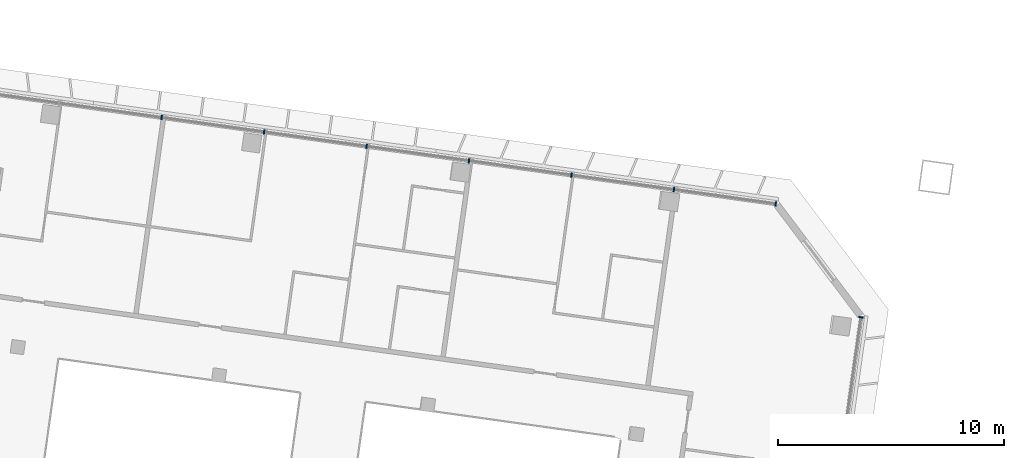
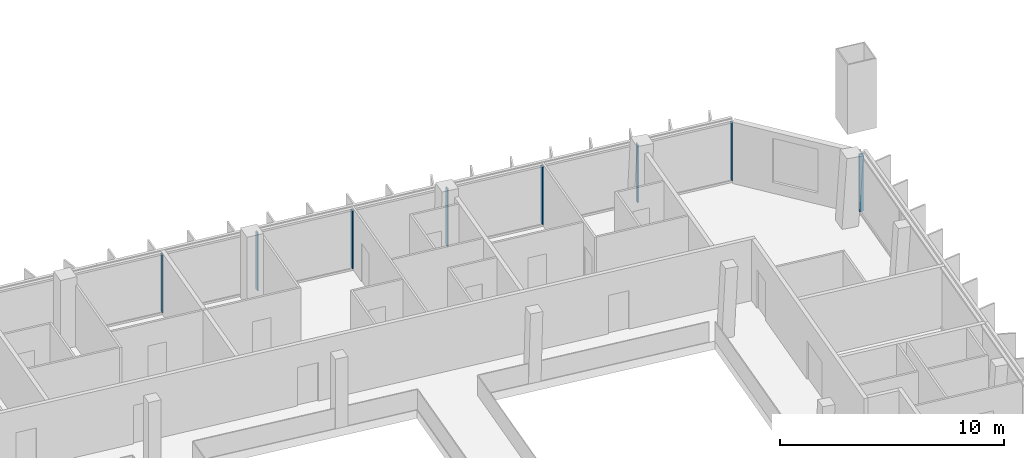
# One storey, part 6 of 23: 8 members, 2 elements without a shape of their own.
"""IFC4 building model written with IfcOpenShell, lengths in metres."""

from ifc_helpers import new_model, si_unit, direction, frame, origin, origin_2d, place, context, subcontext, project, spatial, rectangle, extrude, material, material_profile, profile_set, type_object, element, aggregate, save


model = new_model("IFC4")

# Units and contexts
model_context = context("Model", 3, precision=1e-05, world=origin(), true_north=direction((0.0, 1.0)))
body_context = subcontext(model_context, "Body", "Model", "MODEL_VIEW")
ifc_project = project(units=[si_unit("LENGTHUNIT", "METRE"), si_unit("AREAUNIT", "SQUARE_METRE"), si_unit("VOLUMEUNIT", "CUBIC_METRE"), si_unit("PLANEANGLEUNIT", "RADIAN"), si_unit("MASSUNIT", "GRAM", prefix="KILO")], contexts=[model_context])

# Site, building, storey
site_placement = place(None, origin())
site = spatial("IfcSite", under=ifc_project, at=site_placement, CompositionType="ELEMENT")
building_placement = place(site_placement, origin())
building = spatial("IfcBuilding", under=site, at=building_placement, Name="Mirante Cascada Hotel Towers", CompositionType="ELEMENT")
storey_placement = place(building_placement, frame((0.0, 0.0, 180.2)))
storey = spatial("IfcBuildingStorey", under=building, at=storey_placement, Name="L42", CompositionType="ELEMENT", Elevation=180.2)

# Curtain wall, members
ifc_material_1 = material(Name="Aluminium mullion and transom frame with clear laminated glass", Category="aluminium")
curtain_wall_type_1 = type_object("IfcCurtainWallType", Name="Ribbon curtain wall ECW1", PredefinedType="NOTDEFINED", material=ifc_material_1)
curtain_wall_1_placement = place(storey_placement, origin())
curtain_wall_1 = element("IfcCurtainWall", 1, at=curtain_wall_1_placement, inside=storey, type_object=curtain_wall_type_1, Name="Front ribbon wall T1 L42", PredefinedType="NOTDEFINED")
ifc_material_2 = material(Name="Anodised aluminium extrusion", Category="aluminium")
ifc_material_profile_1 = material_profile(ifc_material_2, rectangle(XDim=0.2, YDim=0.065, at=origin_2d()), Name="ECW1 MULLION 65x200")
ifc_profile_set_1 = profile_set([ifc_material_profile_1], Name="Anodised aluminium extrusion")
member_type_1 = type_object("IfcMemberType", Name="ECW1 mullion 65x200", PredefinedType="MULLION", material=ifc_profile_set_1)
member_1_placement = place(storey_placement, frame((-58.1822, 20.996, 0.1), z_axis=(0.0, 0.0, 1.0), x_axis=(0.1391731, 0.9902681, 0.0)))
member_1 = element("IfcMember", 2, at=member_1_placement, type_object=member_type_1, Name="ECW1 mullion 5", PredefinedType="MULLION", context=body_context, shape_type="SweptSolid", body=[
    extrude(rectangle(XDim=0.2, YDim=0.065, at=origin_2d()), origin(), (0.0, 0.0, 1.0), 3.15),
])
member_2_placement = place(storey_placement, frame((-53.6444, 20.3583, 0.1), z_axis=(0.0, 0.0, 1.0), x_axis=(0.1391731, 0.9902681, 0.0)))
member_2 = element("IfcMember", 3, at=member_2_placement, type_object=member_type_1, Name="ECW1 mullion 6", PredefinedType="MULLION", context=body_context, shape_type="SweptSolid", body=[
    extrude(rectangle(XDim=0.2, YDim=0.065, at=origin_2d()), origin(), (0.0, 0.0, 1.0), 3.15),
])
member_3_placement = place(storey_placement, frame((-49.1066, 19.7205, 0.1), z_axis=(0.0, 0.0, 1.0), x_axis=(0.1391731, 0.9902681, 0.0)))
member_3 = element("IfcMember", 4, at=member_3_placement, type_object=member_type_1, Name="ECW1 mullion 7", PredefinedType="MULLION", context=body_context, shape_type="SweptSolid", body=[
    extrude(rectangle(XDim=0.2, YDim=0.065, at=origin_2d()), origin(), (0.0, 0.0, 1.0), 3.15),
])
member_4_placement = place(storey_placement, frame((-44.5689, 19.0828, 0.1), z_axis=(0.0, 0.0, 1.0), x_axis=(0.1391731, 0.9902681, 0.0)))
member_4 = element("IfcMember", 5, at=member_4_placement, type_object=member_type_1, Name="ECW1 mullion 8", PredefinedType="MULLION", context=body_context, shape_type="SweptSolid", body=[
    extrude(rectangle(XDim=0.2, YDim=0.065, at=origin_2d()), origin(), (0.0, 0.0, 1.0), 3.15),
])
member_5_placement = place(storey_placement, frame((-40.0311, 18.445, 0.1), z_axis=(0.0, 0.0, 1.0), x_axis=(0.1391731, 0.9902681, 0.0)))
member_5 = element("IfcMember", 6, at=member_5_placement, type_object=member_type_1, Name="ECW1 mullion 9", PredefinedType="MULLION", context=body_context, shape_type="SweptSolid", body=[
    extrude(rectangle(XDim=0.2, YDim=0.065, at=origin_2d()), origin(), (0.0, 0.0, 1.0), 3.15),
])
member_6_placement = place(storey_placement, frame((-35.4933, 17.8073, 0.1), z_axis=(0.0, 0.0, 1.0), x_axis=(0.1391731, 0.9902681, 0.0)))
member_6 = element("IfcMember", 7, at=member_6_placement, type_object=member_type_1, Name="ECW1 mullion 10", PredefinedType="MULLION", context=body_context, shape_type="SweptSolid", body=[
    extrude(rectangle(XDim=0.2, YDim=0.065, at=origin_2d()), origin(), (0.0, 0.0, 1.0), 3.15),
])
member_7_placement = place(storey_placement, frame((-30.9877, 17.1741, 0.1), z_axis=(0.0, 0.0, 1.0), x_axis=(0.1391731, 0.9902681, 0.0)))
member_7 = element("IfcMember", 8, at=member_7_placement, type_object=member_type_1, Name="ECW1 mullion 11", PredefinedType="MULLION", context=body_context, shape_type="SweptSolid", body=[
    extrude(rectangle(XDim=0.2, YDim=0.065, at=origin_2d()), origin(), (0.0, 0.0, 1.0), 3.15),
])
aggregate(curtain_wall_1, [member_1, member_2, member_3, member_4, member_5, member_6, member_7])

# Curtain wall, member
ifc_material_3 = material(Name="Aluminium mullion and transom frame with clear laminated glass", Category="aluminium")
curtain_wall_type_2 = type_object("IfcCurtainWallType", Name="End ribbon curtain wall ECW2", PredefinedType="NOTDEFINED", material=ifc_material_3)
curtain_wall_2_placement = place(storey_placement, origin())
curtain_wall_2 = element("IfcCurtainWall", 9, at=curtain_wall_2_placement, inside=storey, type_object=curtain_wall_type_2, Name="Inner end wall T1 L42", PredefinedType="NOTDEFINED")
ifc_material_4 = material(Name="Anodised aluminium extrusion", Category="aluminium")
ifc_material_profile_2 = material_profile(ifc_material_4, rectangle(XDim=0.2, YDim=0.065, at=origin_2d()), Name="ECW2 MULLION 65x200")
ifc_profile_set_2 = profile_set([ifc_material_profile_2], Name="Anodised aluminium extrusion")
member_type_2 = type_object("IfcMemberType", Name="ECW2 mullion 65x200", PredefinedType="MULLION", material=ifc_profile_set_2)
member_8_placement = place(storey_placement, frame((-27.2049, 12.1541, 0.1), z_axis=(0.0, 0.0, 1.0), x_axis=(0.9902681, -0.1391731, 0.0)))
member_8 = element("IfcMember", 10, at=member_8_placement, type_object=member_type_2, Name="ECW2 mullion 1", PredefinedType="MULLION", context=body_context, shape_type="SweptSolid", body=[
    extrude(rectangle(XDim=0.2, YDim=0.065, at=origin_2d()), origin(), (0.0, 0.0, 1.0), 3.15),
])
aggregate(curtain_wall_2, [member_8])

save(model, "model.ifc")
